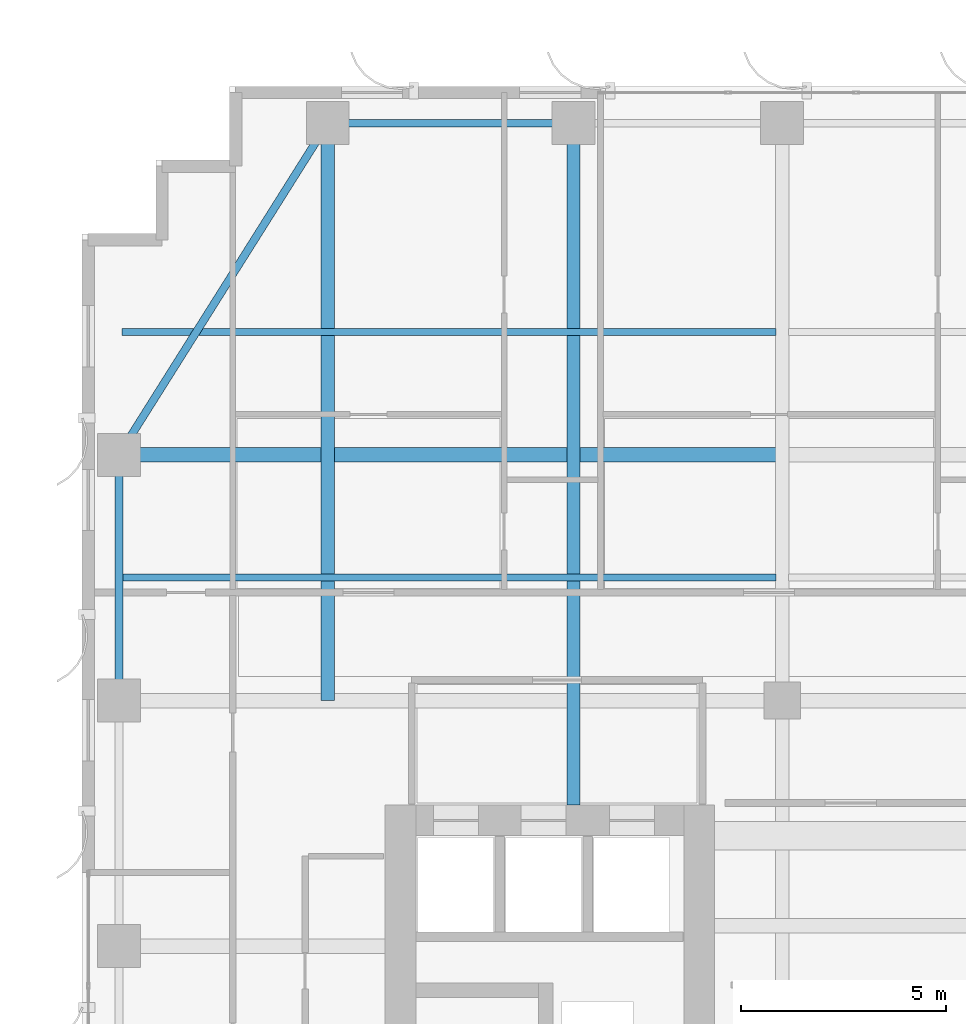
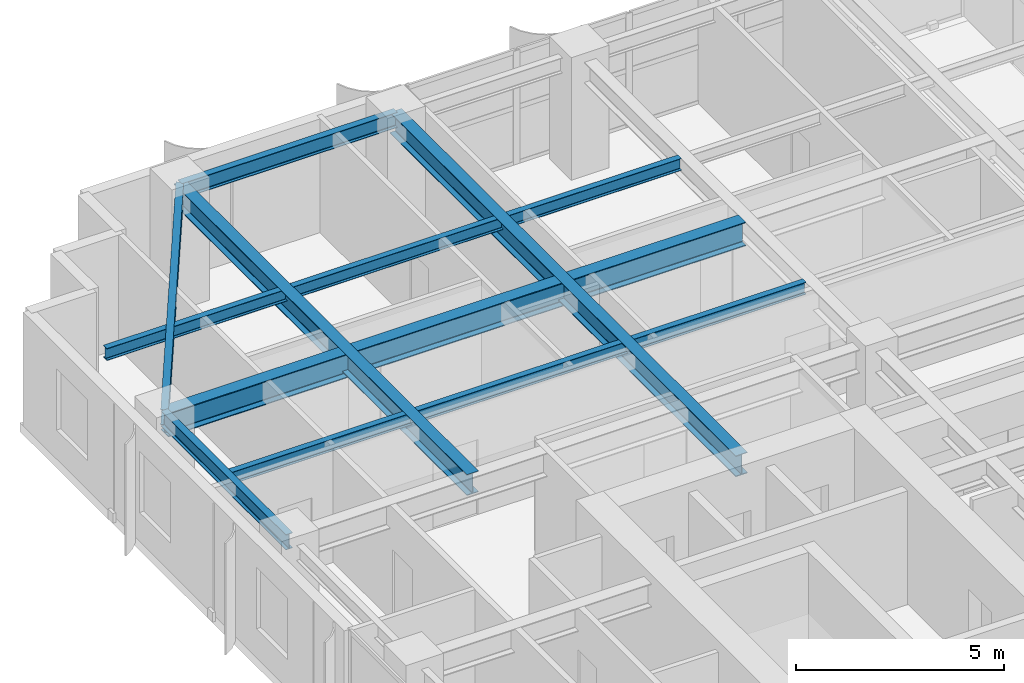
# One storey, part 8 of 22: 8 beams.
"""IFC4 building model written with IfcOpenShell, lengths in metres."""

import ifcopenshell
import ifcopenshell.guid

model = None  # the IFC model being written
_history = None  # IfcOwnerHistory: only IFC2X3 demands one
_inside = {}  # id of a spatial element -> (the spatial element, [elements in it])
_under = {}  # id of a project, library or spatial element -> (it, [spatial elements below it])
_declared = {}  # id of a project -> (the project, [libraries it declares])
_typed = {}  # id of a type object -> (the type object, [elements of that type])
_made_of = {}  # id of a material, layer set ... -> (it, [elements and type objects made of it])


def new_model(schema):
    """Start an empty IFC model of exactly this schema.

    Asked for "IFC4X3", IfcOpenShell would pick the latest addendum, in which some entities
    have other attributes; the version numbers below select the first issue.
    IFC2X3 requires an IfcOwnerHistory on every rooted entity: one is made here for all.
    """
    global model, _history
    if schema == "IFC4X3":
        model = ifcopenshell.file(schema_version=(4, 3, 0, 0))
    else:
        model = ifcopenshell.file(schema=schema)
    _inside.clear()
    _under.clear()
    _declared.clear()
    _typed.clear()
    _made_of.clear()
    _history = None
    if model.schema == "IFC2X3":
        org = make("IfcOrganization", Name="unknown")
        user = make(
            "IfcPersonAndOrganization",
            ThePerson=make("IfcPerson", FamilyName="unknown"),
            TheOrganization=org,
        )
        app = make(
            "IfcApplication",
            ApplicationDeveloper=org,
            Version="unknown",
            ApplicationFullName="unknown",
            ApplicationIdentifier="unknown",
        )
        _history = make(
            "IfcOwnerHistory",
            OwningUser=user,
            OwningApplication=app,
            ChangeAction="ADDED",
            CreationDate=0,
        )
    return model


def make(cls, **values):
    """One entity of the class cls with the attributes given. An attribute that is None is left unset."""
    return model.create_entity(
        cls, **{name: value for name, value in values.items() if value is not None}
    )


def rooted(cls, **values):
    """An entity with a GlobalId (a new one), such as an element, a storey or a relation."""
    return make(cls, GlobalId=ifcopenshell.guid.new(), OwnerHistory=_history, **values)


def si_unit(unit_type, name, prefix=None):
    """IfcSIUnit, for example si_unit("LENGTHUNIT", "METRE", prefix="MILLI")."""
    return make("IfcSIUnit", UnitType=unit_type, Prefix=prefix, Name=name)


def assignment(units):
    """IfcUnitAssignment: the units of a project."""
    return None if units is None else make("IfcUnitAssignment", Units=units)


def point(xyz):
    """IfcCartesianPoint."""
    return None if xyz is None else make("IfcCartesianPoint", Coordinates=xyz)


def direction(xyz):
    """IfcDirection."""
    return None if xyz is None else make("IfcDirection", DirectionRatios=xyz)


def frame(location, z_axis=None, x_axis=None):
    """IfcAxis2Placement3D, a coordinate frame: its origin and axes. An axis left out is left unset."""
    return make(
        "IfcAxis2Placement3D",
        Location=point(location),
        Axis=direction(z_axis),
        RefDirection=direction(x_axis),
    )


def frame_2d(location, x_axis=None):
    """IfcAxis2Placement2D, a coordinate frame in the plane: its origin and x axis."""
    return make(
        "IfcAxis2Placement2D", Location=point(location), RefDirection=direction(x_axis)
    )


def origin():
    """The frame at (0, 0, 0) with its axes left unset."""
    return frame((0.0, 0.0, 0.0))


def origin_2d():
    """The frame at (0, 0) in the plane with its x axis left unset."""
    return frame_2d((0.0, 0.0))


def place(relative_to, where):
    """IfcLocalPlacement: puts the frame where relative to a parent placement (None: the world)."""
    return make(
        "IfcLocalPlacement", PlacementRelTo=relative_to, RelativePlacement=where
    )


def context(
    kind, dimensions, precision=None, world=None, true_north=None, identifier=None
):
    """IfcGeometricRepresentationContext, for example the 3D "Model" context."""
    return make(
        "IfcGeometricRepresentationContext",
        ContextIdentifier=identifier,
        ContextType=kind,
        CoordinateSpaceDimension=dimensions,
        Precision=precision,
        WorldCoordinateSystem=world,
        TrueNorth=true_north,
    )


def subcontext(parent, identifier, kind, view, scale=None):
    """IfcGeometricRepresentationSubContext, for example "Body" below "Model"."""
    return make(
        "IfcGeometricRepresentationSubContext",
        ContextIdentifier=identifier,
        ContextType=kind,
        ParentContext=parent,
        TargetScale=scale,
        TargetView=view,
    )


def project(units=None, contexts=None):
    """IfcProject with its units and contexts."""
    return rooted(
        "IfcProject",
        Name="project",
        RepresentationContexts=contexts,
        UnitsInContext=assignment(units),
    )


def spatial(cls, under=None, at=None, **own):
    """A site, building, storey or space (cls), placed at a placement, below another one or the project."""
    s = rooted(cls, ObjectPlacement=at, **own)
    if under is not None:
        _under.setdefault(under.id(), (under, []))[1].append(s)
    return s


def profile(cls, at=None, kind="AREA", **sizes):
    """A parametric profile (cls). Its sizes go by their IFC names, for example OverallWidth=200.0."""
    return make(cls, ProfileType=kind, Position=at, **sizes)


def i_section(**sizes):
    """IfcIShapeProfileDef."""
    return profile("IfcIShapeProfileDef", **sizes)


def extrude(swept, where, along, depth):
    """IfcExtrudedAreaSolid: the profile swept, set in the frame where, extruded along a direction by depth."""
    return make(
        "IfcExtrudedAreaSolid",
        SweptArea=swept,
        Position=where,
        ExtrudedDirection=direction(along),
        Depth=depth,
    )


def shape(context_of_items, identifier, shape_type, items):
    """IfcShapeRepresentation: the items that make up one representation, for example the "Body"."""
    return make(
        "IfcShapeRepresentation",
        ContextOfItems=context_of_items,
        RepresentationIdentifier=identifier,
        RepresentationType=shape_type,
        Items=items,
    )


def source(mapping_origin, context_of_items, identifier, shape_type, items):
    """IfcRepresentationMap: a shape defined once, which mapped items show again and again."""
    return make(
        "IfcRepresentationMap",
        MappingOrigin=mapping_origin,
        MappedRepresentation=shape(context_of_items, identifier, shape_type, items),
    )


def transform(
    local_origin,
    x_axis=None,
    y_axis=None,
    z_axis=None,
    scale=None,
    scale2=None,
    scale3=None,
    uniform=True,
):
    """IfcCartesianTransformationOperator3D, or its non-uniform kind. x_axis, y_axis, z_axis: its Axis1, 2, 3."""
    if uniform:
        return make(
            "IfcCartesianTransformationOperator3D",
            Axis1=direction(x_axis),
            Axis2=direction(y_axis),
            LocalOrigin=point(local_origin),
            Scale=scale,
            Axis3=direction(z_axis),
        )
    return make(
        "IfcCartesianTransformationOperator3DnonUniform",
        Axis1=direction(x_axis),
        Axis2=direction(y_axis),
        LocalOrigin=point(local_origin),
        Scale=scale,
        Axis3=direction(z_axis),
        Scale2=scale2,
        Scale3=scale3,
    )


def mapped(mapping_source, mapping_target):
    """IfcMappedItem: shows the shape of a source again, moved by a transform."""
    return make(
        "IfcMappedItem", MappingSource=mapping_source, MappingTarget=mapping_target
    )


def material(Name=None, Category=None):
    """IfcMaterial."""
    return make("IfcMaterial", Name=Name, Category=Category)


def material_profile(
    of_material, cross_section, Name=None, Category=None, Priority=None
):
    """IfcMaterialProfile: a cross section and its material."""
    return make(
        "IfcMaterialProfile",
        Name=Name,
        Material=of_material,
        Profile=cross_section,
        Priority=Priority,
        Category=Category,
    )


def profile_set(profiles, Name=None, composite=None):
    """IfcMaterialProfileSet."""
    return make(
        "IfcMaterialProfileSet",
        Name=Name,
        MaterialProfiles=profiles,
        CompositeProfile=composite,
    )


def made_of(thing, what):
    """Note that an element or type object is made of a material, layer set ...; save() writes the relation."""
    if what is not None:
        _made_of.setdefault(what.id(), (what, []))[1].append(thing)
    return thing


def type_object(cls, material=None, **own):
    """A type object (cls), such as IfcWallType, which elements share."""
    return made_of(rooted(cls, **own), material)


def element(
    cls,
    number,
    at=None,
    inside=None,
    cuts=None,
    type_object=None,
    material=None,
    context=None,
    identifier="Body",
    shape_type=None,
    held_by="IfcProductDefinitionShape",
    body=None,
    shapes=None,
    **own,
):
    """One element of the class cls, such as IfcWall. Its Tag is "e" and its number.

    at: its placement. inside: the storey or other place that contains it. cuts: it is an
    opening in that element (IfcRelVoidsElement). A single representation is given by context,
    identifier, shape_type and body (its items); several are given by shapes. held_by: the class
    of the entity that holds the representations. save() writes the other relations.
    """
    e = rooted(cls, Tag="e%d" % number, ObjectPlacement=at, **own)
    if body is not None:
        shapes = [shape(context, identifier, shape_type, body)]
    if shapes is not None:
        e.Representation = make(held_by, Representations=shapes)
    if inside is not None:
        _inside.setdefault(inside.id(), (inside, []))[1].append(e)
    if cuts is not None:
        rooted(
            "IfcRelVoidsElement", RelatingBuildingElement=cuts, RelatedOpeningElement=e
        )
    if type_object is not None:
        _typed.setdefault(type_object.id(), (type_object, []))[1].append(e)
    return made_of(e, material)


def aggregate(whole, parts):
    """IfcRelAggregates: a whole, such as a stair, and the parts it consists of."""
    return rooted("IfcRelAggregates", RelatingObject=whole, RelatedObjects=parts)


def save(model, path):
    """Write the relations noted so far, then the file.

    IfcRelAggregates (storeys below a building ...), IfcRelContainedInSpatialStructure (elements
    in a storey), IfcRelDefinesByType, IfcRelAssociatesMaterial and IfcRelDeclares: one each for
    every whole, place, type object, material and project.
    """
    for whole, parts in _under.values():
        aggregate(whole, parts)
    for where, things in _inside.values():
        rooted(
            "IfcRelContainedInSpatialStructure",
            RelatedElements=things,
            RelatingStructure=where,
        )
    for kind, things in _typed.values():
        rooted("IfcRelDefinesByType", RelatedObjects=things, RelatingType=kind)
    for what, things in _made_of.values():
        rooted("IfcRelAssociatesMaterial", RelatedObjects=things, RelatingMaterial=what)
    for by, libraries in _declared.values():
        rooted("IfcRelDeclares", RelatingContext=by, RelatedDefinitions=libraries)
    model.write(path)


model = new_model("IFC4")

# Units and contexts
model_context = context("Model", 3, precision=1e-05, world=origin(), true_north=direction((0.0, 1.0)))
body_context = subcontext(model_context, "Body", "Model", "MODEL_VIEW")
ifc_project = project(units=[si_unit("LENGTHUNIT", "METRE"), si_unit("AREAUNIT", "SQUARE_METRE"), si_unit("VOLUMEUNIT", "CUBIC_METRE"), si_unit("PLANEANGLEUNIT", "RADIAN"), si_unit("MASSUNIT", "GRAM", prefix="KILO")], contexts=[model_context])

# Site, building, storey
site_placement = place(None, origin())
site = spatial("IfcSite", under=ifc_project, at=site_placement, CompositionType="ELEMENT")
building_placement = place(site_placement, origin())
building = spatial("IfcBuilding", under=site, at=building_placement, Name="Khoralis Quay Care Tower", CompositionType="ELEMENT")
storey_placement = place(building_placement, frame((0.0, 0.0, 98.10009765625)))
storey = spatial("IfcBuildingStorey", under=building, at=storey_placement, Name="L25", CompositionType="ELEMENT", Elevation=98.10009765625)

# Beams
ifc_material = material(Name="Steel S355", Category="steel")
ifc_material_profile_1 = material_profile(ifc_material, i_section(OverallWidth=0.18994140625, OverallDepth=0.449951171875, WebThickness=0.009521484375, FlangeThickness=0.0146484375, FilletRadius=0.02099609375, at=origin_2d()), Name="Steel S355")
ifc_profile_set_1 = profile_set([ifc_material_profile_1], Name="Steel S355")
beam_type_1 = type_object("IfcBeamType", Name="BM-IPE450", PredefinedType="SPANDREL", material=ifc_profile_set_1)
shared_shape_1 = source(origin(), body_context, "Body", "SweptSolid", [
    extrude(i_section(OverallWidth=0.18994140625, OverallDepth=0.449951171875, WebThickness=0.009521484375, FlangeThickness=0.0146484375, FilletRadius=0.02099609375, at=origin_2d()), origin(), (0.0, 0.0, 1.0), 6.0),
])
for number, where, z_axis, x_axis, name in (
    (1, (6.0, 44.10009765625, 3.114990234375), (1.0, 0.0, 0.0), (0.0, 1.0, 0.0), "BM-TSP-L25-06"),
    (2, (0.89990234375, 30.0, 3.114990234375), (0.0, 1.0, 0.0), (-1.0, 0.0, 0.0), "BM-TSP-L25-15"),
):
    element("IfcBeam", number, at=place(storey_placement, frame(where, z_axis=z_axis, x_axis=x_axis)), inside=storey, type_object=beam_type_1, Name=name, PredefinedType="SPANDREL", context=body_context, shape_type="MappedRepresentation", body=[
        mapped(shared_shape_1, transform((0.0, 0.0, 0.0), scale=1.0)),
    ])
ifc_material_profile_2 = material_profile(ifc_material, i_section(OverallWidth=0.35498046875, OverallDepth=0.695068359375, WebThickness=0.015380859375, FlangeThickness=0.02490234375, FilletRadius=0.02001953125, at=origin_2d()), Name="Steel S355")
ifc_profile_set_2 = profile_set([ifc_material_profile_2], Name="Steel S355")
beam_type_2 = type_object("IfcBeamType", Name="BM-W690X217", PredefinedType="BEAM", material=ifc_profile_set_2)
shared_shape_2 = source(origin(), body_context, "Body", "SweptSolid", [
    extrude(i_section(OverallWidth=0.35498046875, OverallDepth=0.695068359375, WebThickness=0.015380859375, FlangeThickness=0.02490234375, FilletRadius=0.02001953125, at=origin_2d()), origin(), (0.0, 0.0, 1.0), 16.049560546875),
])
beam_1_placement = place(storey_placement, frame((0.89990234375, 36.0, 2.992431640625), z_axis=(1.0, 0.0, 0.0), x_axis=(0.0, 1.0, 0.0)))
element("IfcBeam", 3, at=beam_1_placement, inside=storey, type_object=beam_type_2, Name="BM-TGXW-L25-360", PredefinedType="BEAM", context=body_context, shape_type="MappedRepresentation", body=[
    mapped(shared_shape_2, transform((0.0, 0.0, 0.0), scale=1.0)),
])
ifc_material_profile_3 = material_profile(ifc_material, i_section(OverallWidth=0.1708984375, OverallDepth=0.35498046875, WebThickness=0.007080078125, FlangeThickness=0.01171875, FilletRadius=0.012939453125, at=origin_2d()), Name="Steel S355")
ifc_profile_set_3 = profile_set([ifc_material_profile_3], Name="Steel S355")
beam_type_3 = type_object("IfcBeamType", Name="BM-W360X51", PredefinedType="JOIST", material=ifc_profile_set_3)
shared_shape_3 = source(origin(), body_context, "Body", "SweptSolid", [
    extrude(i_section(OverallWidth=0.1708984375, OverallDepth=0.35498046875, WebThickness=0.007080078125, FlangeThickness=0.01171875, FilletRadius=0.012939453125, at=origin_2d()), origin(), (0.0, 0.0, 1.0), 15.968505859375),
])
for number, where, z_axis, x_axis, name in (
    (4, (0.98095703125, 33.0, 3.162353515625), (1.0, 0.0, 0.0), (0.0, 1.0, 0.0), "BM-TJS-L25-28"),
    (5, (0.98095703125, 39.0, 3.162353515625), (1.0, 0.0, 0.0), (0.0, 1.0, 0.0), "BM-TJS-L25-31"),
):
    element("IfcBeam", number, at=place(storey_placement, frame(where, z_axis=z_axis, x_axis=x_axis)), inside=storey, type_object=beam_type_3, Name=name, PredefinedType="JOIST", context=body_context, shape_type="MappedRepresentation", body=[
        mapped(shared_shape_3, transform((0.0, 0.0, 0.0), scale=1.0)),
    ])
shared_shape_4 = source(origin(), body_context, "Body", "SweptSolid", [
    extrude(i_section(OverallWidth=0.18994140625, OverallDepth=0.449951171875, WebThickness=0.009521484375, FlangeThickness=0.0146484375, FilletRadius=0.02099609375, at=origin_2d()), origin(), (0.0, 0.0, 1.0), 9.572021484375),
])
beam_2_placement = place(storey_placement, frame((6.0, 44.10009765625, 3.114990234375), z_axis=(-0.532815975602, -0.846231136359, 0.0), x_axis=(0.846231136359, -0.532815975602, 0.0)))
element("IfcBeam", 6, at=beam_2_placement, inside=storey, type_object=beam_type_1, Name="BM-TCR-L25-23", PredefinedType="SPANDREL", context=body_context, shape_type="MappedRepresentation", body=[
    mapped(shared_shape_4, transform((0.0, 0.0, 0.0), scale=1.0)),
])
ifc_material_profile_4 = material_profile(ifc_material, i_section(OverallWidth=0.324951171875, OverallDepth=0.615966796875, WebThickness=0.013916015625, FlangeThickness=0.021484375, FilletRadius=0.01806640625, at=origin_2d()), Name="Steel S355")
ifc_profile_set_4 = profile_set([ifc_material_profile_4], Name="Steel S355")
beam_type_4 = type_object("IfcBeamType", Name="BM-W610X174", PredefinedType="BEAM", material=ifc_profile_set_4)
shared_shape_5 = source(origin(), body_context, "Body", "SweptSolid", [
    extrude(i_section(OverallWidth=0.324951171875, OverallDepth=0.615966796875, WebThickness=0.013916015625, FlangeThickness=0.021484375, FilletRadius=0.01806640625, at=origin_2d()), origin(), (0.0, 0.0, 1.0), 14.10009765625),
])
beam_3_placement = place(storey_placement, frame((6.0, 30.0, 3.031982421875), z_axis=(0.0, 1.0, 0.0), x_axis=(-1.0, 0.0, 0.0)))
element("IfcBeam", 7, at=beam_3_placement, inside=storey, type_object=beam_type_4, Name="BM-TGYN-L25-60", PredefinedType="BEAM", context=body_context, shape_type="MappedRepresentation", body=[
    mapped(shared_shape_5, transform((0.0, 0.0, 0.0), scale=1.0)),
])
shared_shape_6 = source(origin(), body_context, "Body", "SweptSolid", [
    extrude(i_section(OverallWidth=0.324951171875, OverallDepth=0.615966796875, WebThickness=0.013916015625, FlangeThickness=0.021484375, FilletRadius=0.01806640625, at=origin_2d()), origin(), (0.0, 0.0, 1.0), 16.652099609375),
])
beam_4_placement = place(storey_placement, frame((12.0, 27.447998046875, 3.031982421875), z_axis=(0.0, 1.0, 0.0), x_axis=(-1.0, 0.0, 0.0)))
element("IfcBeam", 8, at=beam_4_placement, inside=storey, type_object=beam_type_4, Name="BM-TGYN-L25-120", PredefinedType="BEAM", context=body_context, shape_type="MappedRepresentation", body=[
    mapped(shared_shape_6, transform((0.0, 0.0, 0.0), scale=1.0)),
])

save(model, "model.ifc")
